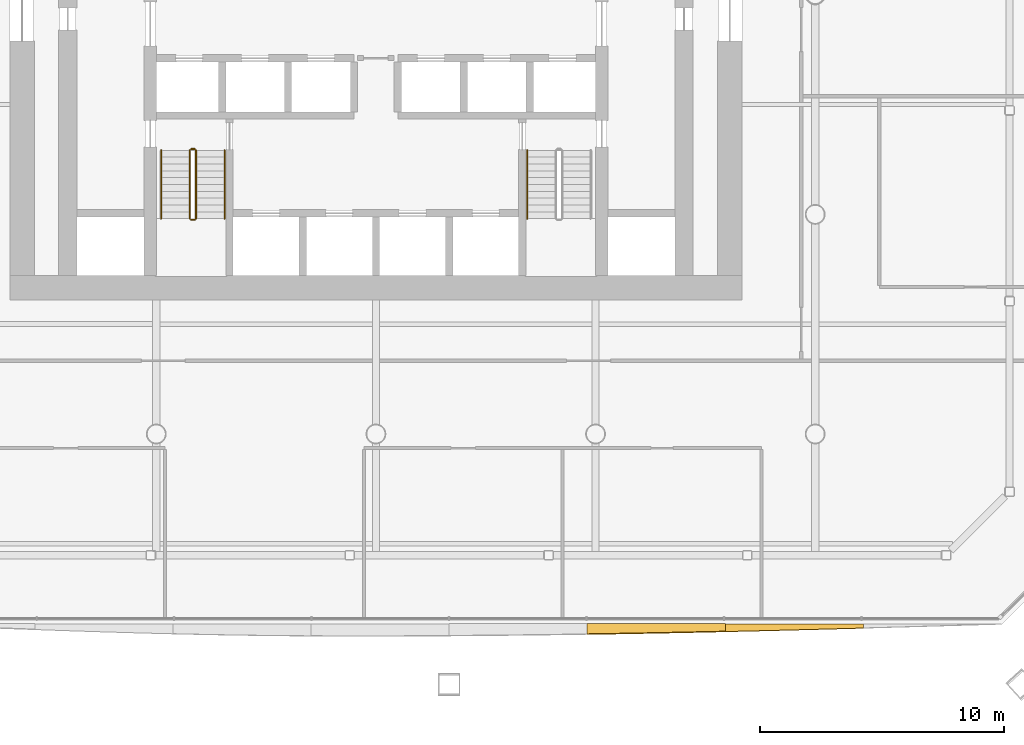
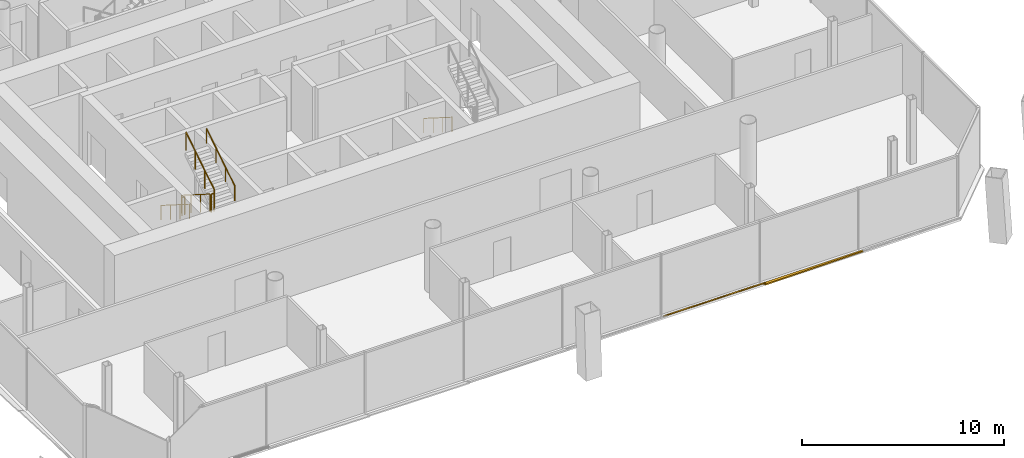
# One storey, part 17 of 20: 7 railings, 2 shading devices.
"""IFC4 building model written with IfcOpenShell, lengths in metres."""

from ifc_helpers import new_model, si_unit, direction, frame, origin, origin_2d, place, context, subcontext, project, spatial, polyline, circle, outline, extrude, material, layer, layer_set, type_object, element, save


model = new_model("IFC4")

# Units and contexts
model_context = context("Model", 3, precision=1e-05, world=origin(), true_north=direction((0.0, 1.0)))
body_context = subcontext(model_context, "Body", "Model", "MODEL_VIEW")
ifc_project = project(units=[si_unit("LENGTHUNIT", "METRE"), si_unit("AREAUNIT", "SQUARE_METRE"), si_unit("VOLUMEUNIT", "CUBIC_METRE"), si_unit("PLANEANGLEUNIT", "RADIAN"), si_unit("MASSUNIT", "GRAM", prefix="KILO")], contexts=[model_context])

# Site, building, storey
site_placement = place(None, origin())
site = spatial("IfcSite", under=ifc_project, at=site_placement, CompositionType="ELEMENT")
building_placement = place(site_placement, origin())
building = spatial("IfcBuilding", under=site, at=building_placement, Name="Tskaro Facet Tower", CompositionType="ELEMENT")
storey_placement = place(building_placement, frame((0.0, 0.0, 69.89990234375)))
storey = spatial("IfcBuildingStorey", under=building, at=storey_placement, Name="L16", CompositionType="ELEMENT", Elevation=69.89990234375)

# Shading devices
ifc_material_1 = material(Name="Bronze anodised aluminium 6063-T6", Category="aluminium")
ifc_layer = layer(ifc_material_1, 0.06005859375, Name="Bronze anodised aluminium 6063-T6")
ifc_layer_set = layer_set([ifc_layer], Name="Bronze anodised aluminium 6063-T6")
shading_device_type = type_object("IfcShadingDeviceType", Name="Bronze sun blade (FN1)", PredefinedType="USERDEFINED", material=ifc_layer_set)
shading_device_1_placement = place(storey_placement, frame((8.65869140625, -25.7705078125, 0.046142578125), z_axis=(2.670069e-06, 0.64278548281, 0.766046227771), x_axis=(0.999999999996, -1.716282e-06, -2.045396e-06)))
element("IfcShadingDevice", 1, at=shading_device_1_placement, inside=storey, type_object=shading_device_type, Name="Fin blade south 6", ObjectType="FIN", PredefinedType="USERDEFINED", context=body_context, shape_type="SweptSolid", body=[
    extrude(outline(polyline([(0.0, 0.0), (5.6586914062298295, 0.0), (5.658691406422539, -0.39927330708879827), (4.951416015570936, -0.4200609551258938), (4.244140624880034, -0.44016069705430494), (3.536865234430181, -0.45922857981968956), (2.8293457030166675, -0.47776548652590445), (2.122070312469203, -0.4952705340690927), (1.4147949216634246, -0.5119006524987691), (0.7075195315177112, -0.5276859347702465), (6.967113227912133e-11, -0.5424092649233845), (0.0, 0.0)])), origin(), (0.0, 0.0, -1.0), 0.06005859375),
])
shading_device_2_placement = place(storey_placement, frame((14.3173828125, -25.78857421875, 0.056396484375), z_axis=(9.427272e-06, 0.342400923422, 0.939553940735), x_axis=(0.999999999956, -3.227907e-06, -8.857431e-06)))
element("IfcShadingDevice", 2, at=shading_device_2_placement, inside=storey, type_object=shading_device_type, Name="Fin blade south 7", ObjectType="FIN", PredefinedType="USERDEFINED", context=body_context, shape_type="SweptSolid", body=[
    extrude(outline(polyline([(0.0, 0.0), (5.658935546623535, 0.0), (5.658935546582474, -0.1725402441766715), (4.951416014909602, -0.19308574908415485), (4.244140625236114, -0.21331827672986717), (3.536865233986501, -0.23309203780293455), (2.8295898441112826, -0.2525528216142309), (2.1220703120349484, -0.27155483885288234), (1.4147949219579996, -0.29024387882976277), (0.7075195316793198, -0.30816117497222717), (-8.004754755291502e-10, -0.3256197045420466), (0.0, 0.0)])), origin(), (0.0, 0.0, -1.0), 0.06005859375),
])

# Railings
ifc_material_2 = material(Name="Stainless steel", Category="steel")
railing_type_1 = type_object("IfcRailingType", Name="RL-GUARD-1100", PredefinedType="GUARDRAIL", material=ifc_material_2)
railing_1_placement = place(storey_placement, frame((-7.625, -6.375, 0.177490234375)))
element("IfcRailing", 3, at=railing_1_placement, inside=storey, type_object=railing_type_1, Name="L16 ST-1 stair guard 1", PredefinedType="GUARDRAIL", context=body_context, shape_type="SweptSolid", body=[
    extrude(circle(Radius=0.02392578125, at=origin_2d()), frame((0.0, 0.0, 1.076171875), z_axis=(0.0, -0.844908973607, 0.534910110503), x_axis=(1.0, 0.0, 0.0)), (0.0, 0.0, 1.0), 3.31396484375),
    extrude(circle(Radius=0.02099609375, at=origin_2d()), origin(), (0.0, 0.0, 1.0), 1.052001953125),
    extrude(circle(Radius=0.02099609375, at=origin_2d()), frame((0.0, -0.933349609375, 0.5908203125)), (0.0, 0.0, 1.0), 1.052001953125),
    extrude(circle(Radius=0.02099609375, at=origin_2d()), frame((0.0, -1.86669921875, 1.181884765625)), (0.0, 0.0, 1.0), 1.052001953125),
    extrude(circle(Radius=0.02099609375, at=origin_2d()), frame((0.0, -2.800048828125, 1.772705078125)), (0.0, 0.0, 1.0), 1.052001953125),
])
railing_2_placement = place(storey_placement, frame((-7.574951171875, -9.22509765625, 1.9501953125)))
element("IfcRailing", 4, at=railing_2_placement, inside=storey, type_object=railing_type_1, Name="L16 ST-1 stair guard 2", PredefinedType="GUARDRAIL", context=body_context, shape_type="SweptSolid", body=[
    extrude(circle(Radius=0.02392578125, at=origin_2d()), frame((0.0, 0.0, 1.076171875), z_axis=(1.0, 0.0, 0.0), x_axis=(0.0, 1.0, 0.0)), (0.0, 0.0, 1.0), 0.14990234375),
    extrude(circle(Radius=0.02099609375, at=origin_2d()), origin(), (0.0, 0.0, 1.0), 1.052001953125),
    extrude(circle(Radius=0.02099609375, at=origin_2d()), frame((0.14990234375, 0.0, 0.0)), (0.0, 0.0, 1.0), 1.052001953125),
])
railing_3_placement = place(storey_placement, frame((-7.375, -9.175048828125, 2.12744140625)))
element("IfcRailing", 5, at=railing_3_placement, inside=storey, type_object=railing_type_1, Name="L16 ST-1 stair guard 3", PredefinedType="GUARDRAIL", context=body_context, shape_type="SweptSolid", body=[
    extrude(circle(Radius=0.02392578125, at=origin_2d()), frame((0.0, 0.0, 1.076171875), z_axis=(0.0, 0.844908973607, 0.534910110503), x_axis=(-1.0, 0.0, 0.0)), (0.0, 0.0, 1.0), 3.31396484375),
    extrude(circle(Radius=0.02099609375, at=origin_2d()), origin(), (0.0, 0.0, 1.0), 1.052001953125),
    extrude(circle(Radius=0.02099609375, at=origin_2d()), frame((0.0, 0.933349609375, 0.5908203125)), (0.0, 0.0, 1.0), 1.052001953125),
    extrude(circle(Radius=0.02099609375, at=origin_2d()), frame((0.0, 1.86669921875, 1.181884765625)), (0.0, 0.0, 1.0), 1.052001953125),
    extrude(circle(Radius=0.02099609375, at=origin_2d()), frame((0.0, 2.800048828125, 1.772705078125)), (0.0, 0.0, 1.0), 1.052001953125),
])
railing_4_placement = place(storey_placement, frame((-7.574951171875, -6.324951171875, 0.0)))
element("IfcRailing", 6, at=railing_4_placement, inside=storey, type_object=railing_type_1, Name="L16 ST-1 stair guard 4", PredefinedType="GUARDRAIL", context=body_context, shape_type="SweptSolid", body=[
    extrude(circle(Radius=0.02392578125, at=origin_2d()), frame((0.0, 0.0, 1.076171875), z_axis=(1.0, 0.0, 0.0), x_axis=(0.0, 1.0, 0.0)), (0.0, 0.0, 1.0), 0.14990234375),
    extrude(circle(Radius=0.02099609375, at=origin_2d()), origin(), (0.0, 0.0, 1.0), 1.052001953125),
    extrude(circle(Radius=0.02099609375, at=origin_2d()), frame((0.14990234375, 0.0, 0.0)), (0.0, 0.0, 1.0), 1.052001953125),
])
railing_type_2 = type_object("IfcRailingType", Name="RL-HANDRAIL-900", PredefinedType="HANDRAIL", material=ifc_material_2)
railing_5_placement = place(storey_placement, frame((-8.800048828125, -6.375, 0.177490234375)))
element("IfcRailing", 7, at=railing_5_placement, inside=storey, type_object=railing_type_2, Name="L16 ST-1 stair handrail 1", PredefinedType="HANDRAIL", context=body_context, shape_type="SweptSolid", body=[
    extrude(circle(Radius=0.02392578125, at=origin_2d()), frame((0.0, 0.0, 0.8759765625), z_axis=(0.0, -0.844908973607, 0.534910110503), x_axis=(1.0, 0.0, 0.0)), (0.0, 0.0, 1.0), 3.31396484375),
    extrude(circle(Radius=0.02099609375, at=origin_2d()), origin(), (0.0, 0.0, 1.0), 0.851806640625),
    extrude(circle(Radius=0.02099609375, at=origin_2d()), frame((0.0, -0.933349609375, 0.5908203125)), (0.0, 0.0, 1.0), 0.851806640625),
    extrude(circle(Radius=0.02099609375, at=origin_2d()), frame((0.0, -1.86669921875, 1.181884765625)), (0.0, 0.0, 1.0), 0.851806640625),
    extrude(circle(Radius=0.02099609375, at=origin_2d()), frame((0.0, -2.800048828125, 1.772705078125)), (0.0, 0.0, 1.0), 0.851806640625),
])
railing_6_placement = place(storey_placement, frame((-6.199951171875, -9.175048828125, 2.12744140625)))
element("IfcRailing", 8, at=railing_6_placement, inside=storey, type_object=railing_type_2, Name="L16 ST-1 stair handrail 2", PredefinedType="HANDRAIL", context=body_context, shape_type="SweptSolid", body=[
    extrude(circle(Radius=0.02392578125, at=origin_2d()), frame((0.0, 0.0, 0.8759765625), z_axis=(0.0, 0.844908973607, 0.534910110503), x_axis=(-1.0, 0.0, 0.0)), (0.0, 0.0, 1.0), 3.31396484375),
    extrude(circle(Radius=0.02099609375, at=origin_2d()), origin(), (0.0, 0.0, 1.0), 0.851806640625),
    extrude(circle(Radius=0.02099609375, at=origin_2d()), frame((0.0, 0.933349609375, 0.5908203125)), (0.0, 0.0, 1.0), 0.851806640625),
    extrude(circle(Radius=0.02099609375, at=origin_2d()), frame((0.0, 1.86669921875, 1.181884765625)), (0.0, 0.0, 1.0), 0.851806640625),
    extrude(circle(Radius=0.02099609375, at=origin_2d()), frame((0.0, 2.800048828125, 1.772705078125)), (0.0, 0.0, 1.0), 0.851806640625),
])
railing_7_placement = place(storey_placement, frame((6.199951171875, -6.375, 0.177490234375)))
element("IfcRailing", 9, at=railing_7_placement, inside=storey, type_object=railing_type_2, Name="L16 ST-2 stair handrail 1", PredefinedType="HANDRAIL", context=body_context, shape_type="SweptSolid", body=[
    extrude(circle(Radius=0.02392578125, at=origin_2d()), frame((0.0, 0.0, 0.8759765625), z_axis=(0.0, -0.844908973607, 0.534910110503), x_axis=(1.0, 0.0, 0.0)), (0.0, 0.0, 1.0), 3.31396484375),
    extrude(circle(Radius=0.02099609375, at=origin_2d()), origin(), (0.0, 0.0, 1.0), 0.851806640625),
    extrude(circle(Radius=0.02099609375, at=origin_2d()), frame((0.0, -0.933349609375, 0.5908203125)), (0.0, 0.0, 1.0), 0.851806640625),
    extrude(circle(Radius=0.02099609375, at=origin_2d()), frame((0.0, -1.86669921875, 1.181884765625)), (0.0, 0.0, 1.0), 0.851806640625),
    extrude(circle(Radius=0.02099609375, at=origin_2d()), frame((0.0, -2.800048828125, 1.772705078125)), (0.0, 0.0, 1.0), 0.851806640625),
])

save(model, "model.ifc")
